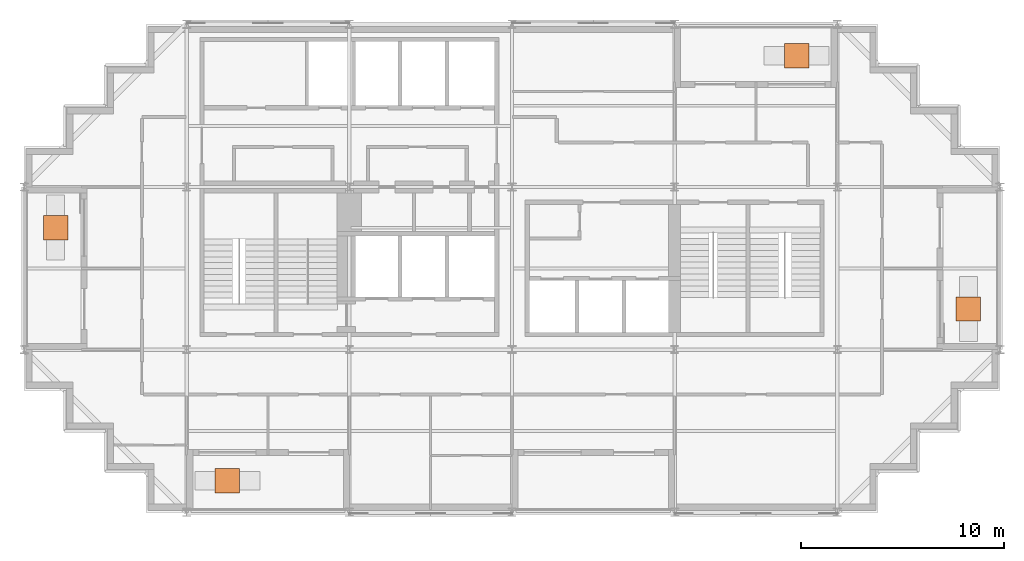
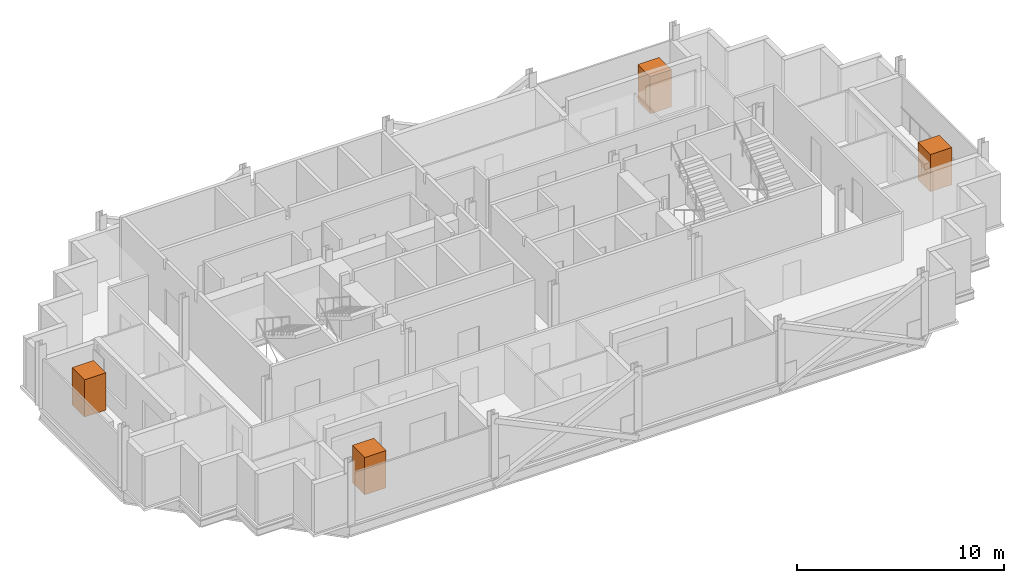
# One storey, part 10 of 10: 4 geographic elements.
"""IFC4 building model written with IfcOpenShell, lengths in metres."""

from ifc_helpers import new_model, si_unit, direction, frame, origin, origin_2d, place, context, subcontext, project, spatial, rectangle, extrude, material, type_object, element, save


model = new_model("IFC4")

# Units and contexts
model_context = context("Model", 3, precision=1e-05, world=origin(), true_north=direction((0.0, 1.0)))
body_context = subcontext(model_context, "Body", "Model", "MODEL_VIEW")
ifc_project = project(units=[si_unit("LENGTHUNIT", "METRE"), si_unit("AREAUNIT", "SQUARE_METRE"), si_unit("VOLUMEUNIT", "CUBIC_METRE"), si_unit("PLANEANGLEUNIT", "RADIAN"), si_unit("MASSUNIT", "GRAM", prefix="KILO")], contexts=[model_context])

# Site, building, storey
site_placement = place(None, origin())
site = spatial("IfcSite", under=ifc_project, at=site_placement, CompositionType="ELEMENT")
building_placement = place(site_placement, origin())
building = spatial("IfcBuilding", under=site, at=building_placement, Name="Immortelle Media Tower", CompositionType="ELEMENT")
storey_placement = place(building_placement, frame((0.0, 0.0, 237.0)))
storey = spatial("IfcBuildingStorey", under=building, at=storey_placement, Name="L51", CompositionType="ELEMENT", Elevation=237.0)

# Geographic elements
ifc_material = material(Name="Tree canopy foliage")
geographic_element_type = type_object("IfcGeographicElementType", Name="Tree", PredefinedType="USERDEFINED", material=ifc_material)
for number, where, z_axis, x_axis, name in (
    (1, (10.0, 1.550048828125, 0.60009765625), (0.0, 0.0, 1.0), (1.0, 0.0, 0.0), "Tree L51 S0"),
    (2, (46.449951171875, 10.0, 0.60009765625), (0.0, 0.0, 1.0), (1.0, 0.0, 0.0), "Tree L51 E0"),
    (3, (38.0, 22.449951171875, 0.60009765625), (0.0, 0.0, 1.0), (1.0, 0.0, 0.0), "Tree L51 N0"),
    (4, (1.550048828125, 14.0, 0.60009765625), (0.0, 0.0, 1.0), (1.0, 0.0, 0.0), "Tree L51 W0"),
):
    element("IfcGeographicElement", number, at=place(storey_placement, frame(where, z_axis=z_axis, x_axis=x_axis)), inside=storey, type_object=geographic_element_type, Name=name, ObjectType="Tree", PredefinedType="USERDEFINED", context=body_context, shape_type="SweptSolid", body=[
        extrude(rectangle(XDim=1.199951171875, YDim=1.199951171875, at=origin_2d()), origin(), (0.0, 0.0, 1.0), 2.199951171875),
    ])

save(model, "model.ifc")
